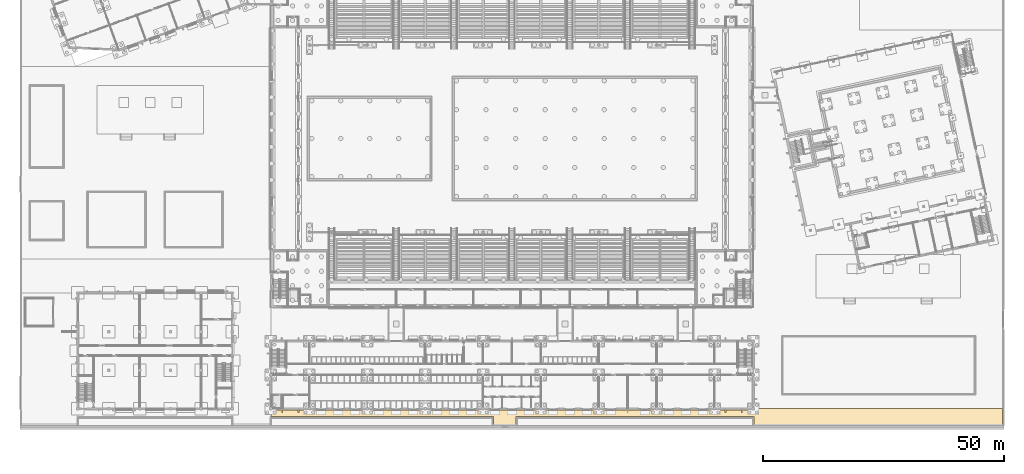
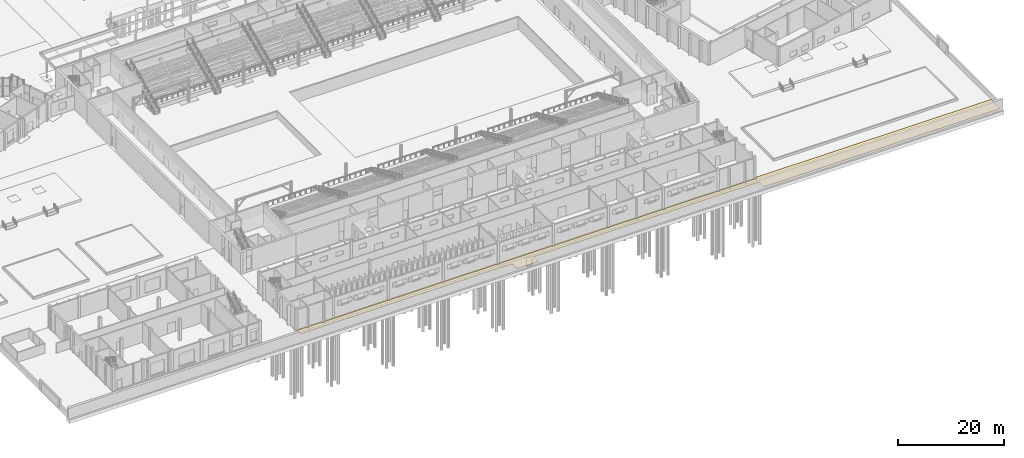
# One storey, part 131 of 157: 1 covering.
"""IFC4 building model written with IfcOpenShell, lengths in metres."""

from ifc_helpers import new_model, si_unit, direction, frame, origin, place, context, subcontext, project, spatial, polyline, outline, extrude, material, layer, layer_set, type_object, element, save


model = new_model("IFC4")

# Units and contexts
model_context = context("Model", 3, precision=1e-05, world=origin(), true_north=direction((0.0, 1.0)))
body_context = subcontext(model_context, "Body", "Model", "MODEL_VIEW")
ifc_project = project(units=[si_unit("LENGTHUNIT", "METRE"), si_unit("AREAUNIT", "SQUARE_METRE"), si_unit("VOLUMEUNIT", "CUBIC_METRE"), si_unit("PLANEANGLEUNIT", "RADIAN"), si_unit("MASSUNIT", "GRAM", prefix="KILO")], contexts=[model_context])

# Site, building, storey
site_placement = place(None, origin())
site = spatial("IfcSite", under=ifc_project, at=site_placement, CompositionType="ELEMENT")
building_placement = place(site_placement, origin())
building = spatial("IfcBuilding", under=site, at=building_placement, Name="Windward Yard Aquatics Centre", CompositionType="ELEMENT")
storey_placement = place(building_placement, origin())
storey = spatial("IfcBuildingStorey", under=building, at=storey_placement, Name="L00", CompositionType="ELEMENT", Elevation=0.0)

# Covering
ifc_material = material(Name="Concrete block paving C35/45", Category="concrete")
ifc_layer = layer(ifc_material, 0.080078125)
ifc_layer_set = layer_set([ifc_layer], Name="X Maintenance Path Paving 80")
covering_type = type_object("IfcCoveringType", Name="X Maintenance Path Paving 80", PredefinedType="FLOORING", material=ifc_layer_set)
covering_placement = place(storey_placement, frame((0.0, 0.0, -0.080078125)))
element("IfcCovering", 1, at=covering_placement, inside=storey, type_object=covering_type, Name="Maintenance path paving 2", PredefinedType="FLOORING", context=body_context, shape_type="SweptSolid", body=[
    extrude(outline(polyline([(52.0, 3.344970703125), (98.126953125, 3.344970703125), (98.134521484375, 3.342529296875), (98.140380859375, 3.337646484375), (98.14404296875, 3.330810546875), (98.14501953125, 3.324951171875), (98.14501953125, 1.52001953125), (102.85498046875, 1.52001953125), (102.85498046875, 3.324951171875), (102.8564453125, 3.332763671875), (102.86083984375, 3.339111328125), (102.8671875, 3.343505859375), (102.875, 3.344970703125), (152.125, 3.344970703125), (152.1328125, 3.343505859375), (152.13916015625, 3.339111328125), (152.1435546875, 3.332763671875), (152.14501953125, 3.324951171875), (152.14501953125, 1.52001953125), (203.679931640625, 1.52001953125), (203.679931640625, 5.0), (152.419921875, 5.0), (152.41796875, 4.959716796875), (152.412109375, 4.9189453125), (152.402099609375, 4.87890625), (152.388427734375, 4.840087890625), (152.369873046875, 4.80126953125), (152.3486328125, 4.765869140625), (152.323974609375, 4.73291015625), (152.29638671875, 4.702392578125), (152.265625, 4.6748046875), (152.232421875, 4.650390625), (152.197021484375, 4.629150390625), (152.159912109375, 4.611572265625), (152.12109375, 4.597900390625), (152.0830078125, 4.58837890625), (152.0419921875, 4.58203125), (151.9990234375, 4.580078125), (151.9580078125, 4.58203125), (151.9169921875, 4.58837890625), (151.87890625, 4.597900390625), (151.840087890625, 4.611572265625), (151.802978515625, 4.629150390625), (151.765869140625, 4.6513671875), (151.73291015625, 4.676025390625), (151.701171875, 4.705078125), (149.8076171875, 4.705078125), (149.8076171875, 4.25), (149.805908203125, 4.2421875), (149.801513671875, 4.23583984375), (149.795166015625, 4.2314453125), (149.78759765625, 4.22998046875), (149.635498046875, 4.22998046875), (149.62646484375, 4.2333984375), (149.618896484375, 4.2421875), (149.617431640625, 4.25), (149.617431640625, 4.705078125), (146.382568359375, 4.705078125), (146.382568359375, 4.25), (146.381103515625, 4.2421875), (146.376708984375, 4.23583984375), (146.3701171875, 4.2314453125), (146.362548828125, 4.22998046875), (146.21044921875, 4.22998046875), (146.201416015625, 4.2333984375), (146.194091796875, 4.2421875), (146.1923828125, 4.25), (146.1923828125, 4.705078125), (144.298828125, 4.705078125), (144.26708984375, 4.676025390625), (144.234130859375, 4.6513671875), (144.19873046875, 4.630126953125), (144.16162109375, 4.6123046875), (144.122802734375, 4.598388671875), (144.0830078125, 4.58837890625), (144.0419921875, 4.58203125), (143.9990234375, 4.580078125), (143.9580078125, 4.58203125), (143.9169921875, 4.58837890625), (143.877197265625, 4.598388671875), (143.83837890625, 4.6123046875), (143.80126953125, 4.630126953125), (143.765869140625, 4.6513671875), (143.73291015625, 4.676025390625), (143.701171875, 4.705078125), (132.298828125, 4.705078125), (132.26708984375, 4.676025390625), (132.234130859375, 4.6513671875), (132.19873046875, 4.630126953125), (132.16162109375, 4.6123046875), (132.122802734375, 4.598388671875), (132.0830078125, 4.58837890625), (132.0419921875, 4.58203125), (131.9990234375, 4.580078125), (131.9580078125, 4.58203125), (131.9169921875, 4.58837890625), (131.877197265625, 4.598388671875), (131.83837890625, 4.6123046875), (131.80126953125, 4.630126953125), (131.765869140625, 4.6513671875), (131.73291015625, 4.676025390625), (131.701171875, 4.705078125), (126.094970703125, 4.705078125), (126.094970703125, 4.25), (126.093505859375, 4.2421875), (126.089111328125, 4.23583984375), (126.082763671875, 4.2314453125), (126.074951171875, 4.22998046875), (125.923095703125, 4.22998046875), (125.913818359375, 4.2333984375), (125.906494140625, 4.2421875), (125.905029296875, 4.25), (125.905029296875, 4.705078125), (120.298828125, 4.705078125), (120.26708984375, 4.676025390625), (120.234130859375, 4.6513671875), (120.19873046875, 4.630126953125), (120.16162109375, 4.6123046875), (120.122802734375, 4.598388671875), (120.0830078125, 4.58837890625), (120.040283203125, 4.58203125), (119.9990234375, 4.580078125), (119.9580078125, 4.58203125), (119.9169921875, 4.58837890625), (119.877197265625, 4.598388671875), (119.83837890625, 4.6123046875), (119.80126953125, 4.630126953125), (119.765869140625, 4.6513671875), (119.73291015625, 4.676025390625), (119.701171875, 4.705078125), (108.298828125, 4.705078125), (108.26708984375, 4.676025390625), (108.234130859375, 4.6513671875), (108.19873046875, 4.630126953125), (108.16162109375, 4.6123046875), (108.122802734375, 4.598388671875), (108.0830078125, 4.58837890625), (108.040283203125, 4.58203125), (107.9990234375, 4.580078125), (107.9580078125, 4.58203125), (107.9169921875, 4.58837890625), (107.877197265625, 4.598388671875), (107.83837890625, 4.6123046875), (107.80126953125, 4.630126953125), (107.765869140625, 4.6513671875), (107.73291015625, 4.676025390625), (107.701171875, 4.705078125), (96.298828125, 4.705078125), (96.26708984375, 4.676025390625), (96.234130859375, 4.6513671875), (96.19873046875, 4.630126953125), (96.16162109375, 4.6123046875), (96.122802734375, 4.598388671875), (96.0830078125, 4.58837890625), (96.040283203125, 4.58203125), (95.9990234375, 4.580078125), (95.9580078125, 4.58203125), (95.9169921875, 4.58837890625), (95.877197265625, 4.598388671875), (95.83837890625, 4.6123046875), (95.80126953125, 4.630126953125), (95.765869140625, 4.6513671875), (95.73291015625, 4.676025390625), (95.701171875, 4.705078125), (84.298828125, 4.705078125), (84.26708984375, 4.676025390625), (84.234130859375, 4.6513671875), (84.19873046875, 4.630126953125), (84.16162109375, 4.6123046875), (84.122802734375, 4.598388671875), (84.0830078125, 4.58837890625), (84.040283203125, 4.58203125), (83.9990234375, 4.580078125), (83.9580078125, 4.58203125), (83.9169921875, 4.58837890625), (83.877197265625, 4.598388671875), (83.83837890625, 4.6123046875), (83.80126953125, 4.630126953125), (83.765869140625, 4.6513671875), (83.73291015625, 4.676025390625), (83.701171875, 4.705078125), (72.298828125, 4.705078125), (72.26708984375, 4.676025390625), (72.234130859375, 4.6513671875), (72.19873046875, 4.630126953125), (72.16162109375, 4.6123046875), (72.122802734375, 4.598388671875), (72.0830078125, 4.58837890625), (72.040283203125, 4.58203125), (71.9990234375, 4.580078125), (71.9580078125, 4.58203125), (71.9169921875, 4.58837890625), (71.877197265625, 4.598388671875), (71.83837890625, 4.6123046875), (71.80126953125, 4.630126953125), (71.765869140625, 4.6513671875), (71.73291015625, 4.676025390625), (71.701171875, 4.705078125), (60.298828125, 4.705078125), (60.26708984375, 4.676025390625), (60.234130859375, 4.6513671875), (60.19873046875, 4.630126953125), (60.16162109375, 4.6123046875), (60.122802734375, 4.598388671875), (60.0810546875, 4.587890625), (60.040283203125, 4.58203125), (59.9990234375, 4.580078125), (59.9580078125, 4.58203125), (59.9169921875, 4.58837890625), (59.877197265625, 4.598388671875), (59.83837890625, 4.6123046875), (59.80126953125, 4.630126953125), (59.765869140625, 4.6513671875), (59.73291015625, 4.676025390625), (59.701171875, 4.705078125), (57.8076171875, 4.705078125), (57.8076171875, 4.25), (57.805908203125, 4.2421875), (57.801513671875, 4.23583984375), (57.795166015625, 4.2314453125), (57.78759765625, 4.22998046875), (57.635498046875, 4.22998046875), (57.624755859375, 4.234619140625), (57.618896484375, 4.2421875), (57.617431640625, 4.25), (57.617431640625, 4.705078125), (54.382568359375, 4.705078125), (54.382568359375, 4.25), (54.381103515625, 4.2421875), (54.376708984375, 4.23583984375), (54.3701171875, 4.2314453125), (54.362548828125, 4.22998046875), (54.21044921875, 4.22998046875), (54.19970703125, 4.234619140625), (54.194091796875, 4.2421875), (54.1923828125, 4.25), (54.1923828125, 4.705078125), (52.298828125, 4.705078125), (52.265625, 4.6748046875), (52.232421875, 4.650390625), (52.197021484375, 4.629150390625), (52.159912109375, 4.611572265625), (52.12109375, 4.597900390625), (52.0810546875, 4.587890625), (52.040283203125, 4.58203125), (52.0, 4.580078125), (52.0, 3.344970703125)])), origin(), (0.0, 0.0, 1.0), 0.080078125),
])

save(model, "model.ifc")
